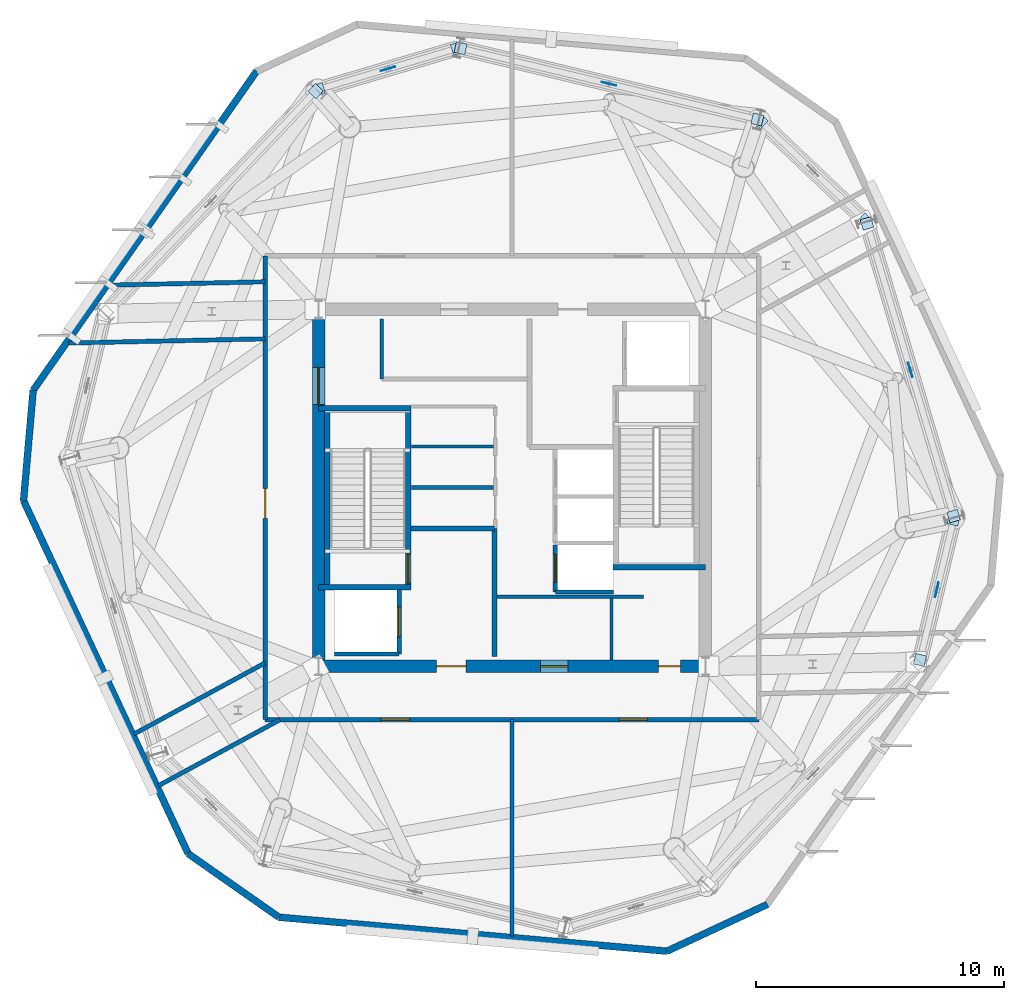
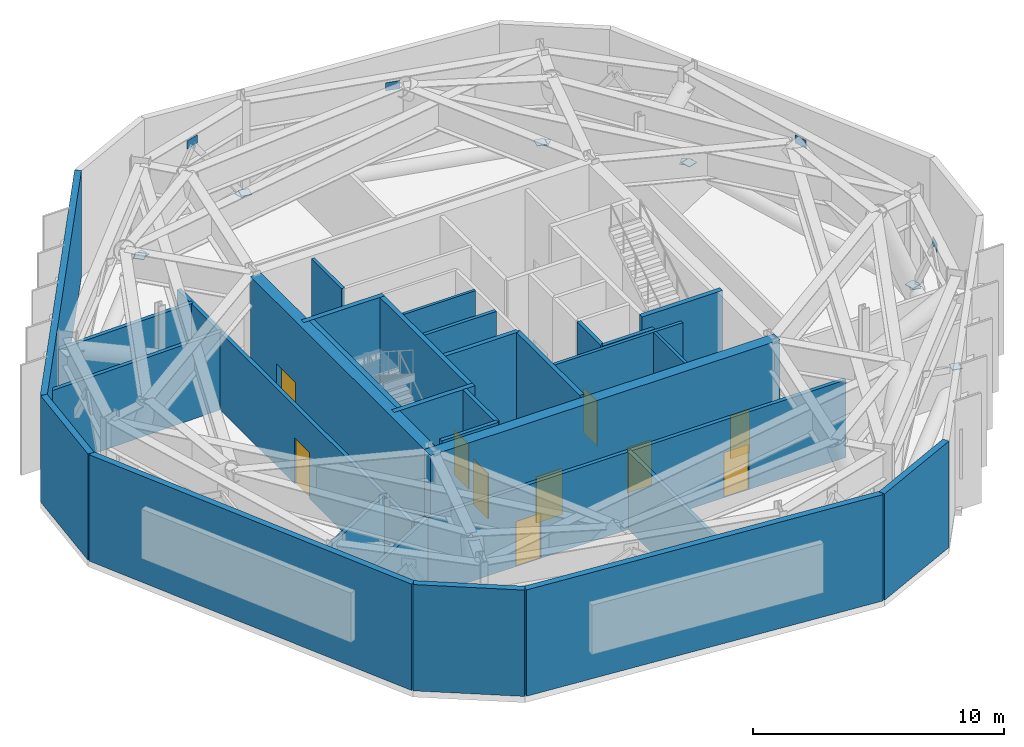
# One storey, part 5 of 10: 31 walls, 15 plates, 10 doors, 10 openings.
"""IFC4 building model written with IfcOpenShell, lengths in metres."""

from ifc_helpers import new_model, si_unit, direction, frame, frame_2d, origin, origin_2d, place, context, subcontext, project, spatial, rectangle, extrude, material, layer, layer_set, type_object, element, fill, save


model = new_model("IFC4")

# Units and contexts
model_context = context("Model", 3, precision=1e-05, world=origin(), true_north=direction((0.0, 1.0)))
body_context = subcontext(model_context, "Body", "Model", "MODEL_VIEW")
ifc_project = project(units=[si_unit("LENGTHUNIT", "METRE"), si_unit("AREAUNIT", "SQUARE_METRE"), si_unit("VOLUMEUNIT", "CUBIC_METRE"), si_unit("PLANEANGLEUNIT", "RADIAN"), si_unit("MASSUNIT", "GRAM", prefix="KILO")], contexts=[model_context])

# Site, building, storey
site_placement = place(None, origin())
site = spatial("IfcSite", under=ifc_project, at=site_placement, CompositionType="ELEMENT")
building_placement = place(site_placement, origin())
building = spatial("IfcBuilding", under=site, at=building_placement, Name="Kranzbogen Civic Tower", CompositionType="ELEMENT")
storey_placement = place(building_placement, frame((0.0, 0.0, 244.800048828125)))
storey = spatial("IfcBuildingStorey", under=building, at=storey_placement, Name="L59", CompositionType="ELEMENT", Elevation=244.800048828125)

# Plates
ifc_material_1 = material(Name="Steel S355", Category="steel")
ifc_layer_1 = layer(ifc_material_1, 0.028076171875, Name="Steel S355")
ifc_layer_set_1 = layer_set([ifc_layer_1], Name="Steel S355")
plate_type_1 = type_object("IfcPlateType", Name="Belt Truss Node Gusset Plate 600x400x28", PredefinedType="USERDEFINED", material=ifc_layer_set_1)
for number, where, z_axis, x_axis, name in (
    (1, (42.1298828125, 20.887939453125, 4.429931640625), (0.0, 0.0, 1.0), (0.233581130033, 0.972337315798, 0.0), "L59 belt truss apex gusset plate 05"),
    (2, (41.06103515625, 29.758056640625, 4.429931640625), (0.0, 0.0, 1.0), (-0.284032079222, 0.958814777719, 0.0), "L59 belt truss apex gusset plate 06"),
    (3, (28.909912109375, 41.287109375, 4.429931640625), (0.0, 0.0, 1.0), (-0.97237399464, 0.233428392764, 0.0), "L59 belt truss apex gusset plate 08"),
    (4, (19.9970703125, 41.89208984375, 4.429931640625), (0.0, 0.0, 1.0), (-0.958839560543, -0.283948405767, 0.0), "L59 belt truss apex gusset plate 09"),
):
    element("IfcPlate", number, at=place(storey_placement, frame(where, z_axis=z_axis, x_axis=x_axis)), inside=storey, type_object=plate_type_1, Name=name, ObjectType="GUSSET_PLATE", PredefinedType="USERDEFINED", context=body_context, shape_type="SweptSolid", body=[
        extrude(rectangle(XDim=0.60009765625, YDim=0.028076171875, at=origin_2d()), origin(), (0.0, 0.0, 1.0), 0.39990234375),
    ])
ifc_layer_2 = layer(ifc_material_1, 0.02490234375, Name="Steel S355")
ifc_layer_set_2 = layer_set([ifc_layer_2], Name="Steel S355")
plate_type_2 = type_object("IfcPlateType", Name="Hollow Section Sealed End Cap Plate 440x440x25", PredefinedType="SHEET", material=ifc_layer_set_2)
for number, where, z_axis, x_axis, name in (
    (5, (41.449951171875, 18.054931640625, 0.62744140625), (0.0, 0.0, 1.0), (0.233292621467, 0.972406577913, 0.0), "DG-250: L59 belt truss diagonal 05A end cap 1"),
    (6, (42.81103515625, 23.719970703125, 0.62744140625), (0.0, 0.0, 1.0), (-0.233699921703, -0.972308771222, 0.0), "DG-250: L59 belt truss diagonal 05B end cap 1"),
    (7, (42.80810546875, 23.85791015625, 0.630615234375), (0.0, 0.0, 1.0), (-0.283914935779, 0.958849471628, 0.0), "DG-250: L59 belt truss diagonal 06A end cap 1"),
    (8, (39.31298828125, 35.656982421875, 0.630615234375), (0.0, 0.0, 1.0), (0.284099016429, -0.958794946203, 0.0), "DG-250: L59 belt truss diagonal 06B end cap 1"),
    (9, (39.239990234375, 35.77392578125, 0.62744140625), (0.0, 0.0, 1.0), (-0.725446451357, 0.688278610893, 0.0), "DG-250: L59 belt truss diagonal 07A end cap 1"),
    (10, (35.013916015625, 39.784912109375, 0.62744140625), (0.0, 0.0, 1.0), (0.725278251512, -0.688455850352, 0.0), "DG-250: L59 belt truss diagonal 07B end cap 1"),
    (11, (34.89306640625, 39.85205078125, 0.630615234375), (0.0, 0.0, 1.0), (-0.972406577913, 0.233292621467, 0.0), "DG-250: L59 belt truss diagonal 08A end cap 1"),
    (12, (22.927978515625, 42.722900390625, 0.630615234375), (0.0, 0.0, 1.0), (0.972361771025, -0.233479305827, 0.0), "DG-250: L59 belt truss diagonal 08B end cap 1"),
    (13, (22.7900390625, 42.718994140625, 0.62744140625), (0.0, 0.0, 1.0), (-0.958844516232, -0.283931670816, 0.0), "DG-250: L59 belt truss diagonal 09A end cap 1"),
    (14, (17.202880859375, 41.06494140625, 0.62744140625), (0.0, 0.0, 1.0), (0.958869290293, 0.283847994766, 0.0), "DG-250: L59 belt truss diagonal 09B end cap 1"),
    (15, (17.0849609375, 40.993896484375, 0.630615234375), (0.0, 0.0, 1.0), (-0.688303933332, -0.72542242546, 0.0), "DG-250: L59 belt truss diagonal 10A end cap 1"),
):
    element("IfcPlate", number, at=place(storey_placement, frame(where, z_axis=z_axis, x_axis=x_axis)), inside=storey, type_object=plate_type_2, Name=name, PredefinedType="SHEET", context=body_context, shape_type="SweptSolid", body=[
        extrude(rectangle(XDim=0.43994140625, YDim=0.43994140625, at=origin_2d()), origin(), (0.0, 0.0, 1.0), 0.02490234375),
    ])

# Walls
ifc_material_2 = material(Name="Double-Stud Acoustic Gypsum Partition")
ifc_layer_3 = layer(ifc_material_2, 0.14990234375, Name="Double-Stud Acoustic Gypsum Partition")
ifc_layer_set_3 = layer_set([ifc_layer_3], Name="Double-Stud Acoustic Gypsum Partition")
wall_type_1 = type_object("IfcWallType", Name="Acoustic Corridor and Clinical Partition 150 mm", PredefinedType="PARTITIONING", material=ifc_layer_set_3)
wall_1_placement = place(storey_placement, frame((24.39990234375, 20.610107421875, 0.0), z_axis=(0.0, 0.0, 1.0), x_axis=(1.0, 0.0, 0.0)))
element("IfcWall", 16, at=wall_1_placement, inside=storey, type_object=wall_type_1, Name="L59 records zone North wall", PredefinedType="PARTITIONING", context=body_context, shape_type="SweptSolid", body=[
    extrude(rectangle(XDim=5.900146484375, YDim=0.14990234375, at=frame_2d((2.9501953125, 0.0))), origin(), (0.0, 0.0, 1.0), 5.179931640625),
])
wall_2_placement = place(storey_placement, frame((19.75, 29.389892578125, 0.0), z_axis=(0.0, 0.0, 1.0), x_axis=(0.0, 1.0, 0.0)))
element("IfcWall", 17, at=wall_2_placement, inside=storey, type_object=wall_type_1, Name="L59 digital comms West wall", PredefinedType="PARTITIONING", context=body_context, shape_type="SweptSolid", body=[
    extrude(rectangle(XDim=2.41015625, YDim=0.14990234375, at=frame_2d((1.205078125, 0.0))), origin(), (0.0, 0.0, 1.0), 5.179931640625),
])
ifc_material_3 = material(Name="Insulated Metal-Stud Gypsum Partition")
ifc_layer_4 = layer(ifc_material_3, 0.125, Name="Insulated Metal-Stud Gypsum Partition")
ifc_layer_set_4 = layer_set([ifc_layer_4], Name="Insulated Metal-Stud Gypsum Partition")
wall_type_2 = type_object("IfcWallType", Name="Acoustic Inter-Room Partition 125 mm", PredefinedType="PARTITIONING", material=ifc_layer_set_4)
wall_3_placement = place(storey_placement, frame((29.010009765625, 18.050048828125, 0.0), z_axis=(0.0, 0.0, 1.0), x_axis=(0.0, 1.0, 0.0)))
element("IfcWall", 18, at=wall_3_placement, inside=storey, type_object=wall_type_2, Name="L59 core auxiliary partition 1", PredefinedType="PARTITIONING", context=body_context, shape_type="SweptSolid", body=[
    extrude(rectangle(XDim=2.5, YDim=0.125, at=frame_2d((1.25, 0.0))), origin(), (0.0, 0.0, 1.0), 5.179931640625),
])
wall_4_placement = place(storey_placement, frame((20.949951171875, 26.659912109375, 0.0), z_axis=(0.0, 0.0, 1.0), x_axis=(1.0, 0.0, 0.0)))
element("IfcWall", 19, at=wall_4_placement, inside=storey, type_object=wall_type_2, Name="L59 core auxiliary partition 3", PredefinedType="PARTITIONING", context=body_context, shape_type="SweptSolid", body=[
    extrude(rectangle(XDim=3.300048828125, YDim=0.125, at=frame_2d((1.64990234375, 0.0))), origin(), (0.0, 0.0, 1.0), 5.179931640625),
])

# Wall, openings, doors
ifc_material_4 = material(Name="Concrete C45/55", Category="concrete")
ifc_layer_5 = layer(ifc_material_4, 0.5, Name="Concrete C45/55")
ifc_layer_set_5 = layer_set([ifc_layer_5], Name="Concrete C45/55")
wall_type_3 = type_object("IfcWallType", Name="Central Core Shear Wall 500 mm", PredefinedType="SHEAR", material=ifc_layer_set_5)
wall_5_placement = place(storey_placement, frame((16.949951171875, 17.800048828125, 0.0), z_axis=(0.0, 0.0, 1.0), x_axis=(1.0, 0.0, 0.0)))
wall_5 = element("IfcWall", 20, at=wall_5_placement, inside=storey, type_object=wall_type_3, Name="L59 central core South shear wall", PredefinedType="SHEAR", context=body_context, shape_type="SweptSolid", body=[
    extrude(rectangle(XDim=16.10009765625, YDim=0.5, at=frame_2d((8.050048828125, 0.0))), origin(), (0.0, 0.0, 1.0), 5.179931640625),
])
opening_1_placement = place(wall_5_placement, frame((5.0, 0.0, 0.0)))
opening_1 = element("IfcOpeningElement", 21, at=opening_1_placement, cuts=wall_5, Name="Opening D-EX120", PredefinedType="OPENING", context=body_context, shape_type="SweptSolid", body=[
    extrude(rectangle(XDim=1.199951171875, YDim=2.25, at=frame_2d((0.60009765625, 1.125))), frame((0.0, 0.260009765625, 0.0), z_axis=(0.0, -1.0, 0.0), x_axis=(1.0, 0.0, 0.0)), (0.0, 0.0, 1.0), 0.52001953125),
])
opening_2_placement = place(wall_5_placement, frame((13.949951171875, 0.0, 0.0)))
opening_2 = element("IfcOpeningElement", 22, at=opening_2_placement, cuts=wall_5, Name="Opening D-WC90", PredefinedType="OPENING", context=body_context, shape_type="SweptSolid", body=[
    extrude(rectangle(XDim=0.89990234375, YDim=2.10009765625, at=frame_2d((0.449951171875, 1.050048828125))), frame((0.0, 0.260009765625, 0.0), z_axis=(0.0, -1.0, 0.0), x_axis=(1.0, 0.0, 0.0)), (0.0, 0.0, 1.0), 0.52001953125),
])
opening_3_placement = place(wall_5_placement, frame((9.199951171875, 0.0, 0.0)))
opening_3 = element("IfcOpeningElement", 23, at=opening_3_placement, cuts=wall_5, Name="Opening D-COR60", PredefinedType="OPENING", context=body_context, shape_type="SweptSolid", body=[
    extrude(rectangle(XDim=1.10009765625, YDim=2.199951171875, at=frame_2d((0.550048828125, 1.10009765625))), frame((0.0, 0.260009765625, 0.0), z_axis=(0.0, -1.0, 0.0), x_axis=(1.0, 0.0, 0.0)), (0.0, 0.0, 1.0), 0.52001953125),
])
ifc_material_5 = material(Name="Oak Timber and Fire Core", Category="wood")
door_type_1 = type_object("IfcDoorType", Name="Corridor Acoustic Fire Door 1100x2200", OperationType="NOTDEFINED", PredefinedType="DOOR", material=ifc_material_5)
door_1_placement = place(opening_3_placement, origin())
door_1 = element("IfcDoor", 24, at=door_1_placement, inside=storey, type_object=door_type_1, Name="L59 REC1 archive room door", OperationType="SINGLE_SWING_LEFT", OverallHeight=2.199951171875, OverallWidth=1.10009765625, PredefinedType="DOOR", context=body_context, shape_type="SweptSolid", body=[
    extrude(rectangle(XDim=1.10009765625, YDim=2.199951171875, at=frame_2d((0.550048828125, 1.10009765625))), frame((0.0, 0.02490234375, 0.0), z_axis=(0.0, -1.0, 0.0), x_axis=(1.0, 0.0, 0.0)), (0.0, 0.0, 1.0), 0.050048828125),
])
fill(opening_3, door_1)
door_type_2 = type_object("IfcDoorType", Name="Exit Passageway Fire Door 1200x2250", OperationType="NOTDEFINED", PredefinedType="DOOR", material=ifc_material_1)
door_2_placement = place(opening_1_placement, origin())
door_2 = element("IfcDoor", 25, at=door_2_placement, inside=storey, type_object=door_type_2, Name="L59 West firefighting lobby corridor door", OperationType="SINGLE_SWING_LEFT", OverallHeight=2.25, OverallWidth=1.199951171875, PredefinedType="DOOR", context=body_context, shape_type="SweptSolid", body=[
    extrude(rectangle(XDim=1.199951171875, YDim=2.25, at=frame_2d((0.60009765625, 1.125))), frame((0.0, 0.02490234375, 0.0), z_axis=(0.0, -1.0, 0.0), x_axis=(1.0, 0.0, 0.0)), (0.0, 0.0, 1.0), 0.050048828125),
])
fill(opening_1, door_2)
ifc_material_6 = material(Name="Moisture-Resistant Laminate")
door_type_3 = type_object("IfcDoorType", Name="Standard Restroom and Store Door 900x2100", OperationType="NOTDEFINED", PredefinedType="DOOR", material=ifc_material_6)
door_3_placement = place(opening_2_placement, origin())
door_3 = element("IfcDoor", 26, at=door_3_placement, inside=storey, type_object=door_type_3, Name="L59 East electrical riser access door", OperationType="SINGLE_SWING_RIGHT", OverallHeight=2.10009765625, OverallWidth=0.89990234375, PredefinedType="DOOR", context=body_context, shape_type="SweptSolid", body=[
    extrude(rectangle(XDim=0.89990234375, YDim=2.10009765625, at=frame_2d((0.449951171875, 1.050048828125))), frame((0.0, 0.02490234375, 0.0), z_axis=(0.0, -1.0, 0.0), x_axis=(1.0, 0.0, 0.0)), (0.0, 0.0, 1.0), 0.050048828125),
])
fill(opening_2, door_3)

# Wall, opening, door
wall_6_placement = place(storey_placement, frame((17.199951171875, 31.949951171875, 0.0), z_axis=(0.0, 0.0, 1.0), x_axis=(0.0, -1.0, 0.0)))
wall_6 = element("IfcWall", 27, at=wall_6_placement, inside=storey, type_object=wall_type_3, Name="L59 central core West shear wall", PredefinedType="SHEAR", context=body_context, shape_type="SweptSolid", body=[
    extrude(rectangle(XDim=13.89990234375, YDim=0.5, at=frame_2d((6.949951171875, 0.0))), origin(), (0.0, 0.0, 1.0), 5.179931640625),
])
opening_4_placement = place(wall_6_placement, frame((2.10009765625, 0.0, 0.0)))
opening_4 = element("IfcOpeningElement", 28, at=opening_4_placement, cuts=wall_6, Name="Opening D-DBL15", PredefinedType="OPENING", context=body_context, shape_type="SweptSolid", body=[
    extrude(rectangle(XDim=1.5, YDim=2.199951171875, at=frame_2d((0.75, 1.10009765625))), frame((0.0, 0.260009765625, 0.0), z_axis=(0.0, -1.0, 0.0), x_axis=(1.0, 0.0, 0.0)), (0.0, 0.0, 1.0), 0.52001953125),
])
ifc_material_7 = material(Name="Anodised Bronze and Glass", Category="glass")
door_type_4 = type_object("IfcDoorType", Name="Civic Lobby Double Door 1500x2200", OperationType="DOUBLE_DOOR_SINGLE_SWING", PredefinedType="DOOR", material=ifc_material_7)
door_4_placement = place(opening_4_placement, origin())
door_4 = element("IfcDoor", 29, at=door_4_placement, inside=storey, type_object=door_type_4, Name="L59 Central Lift Lobby West concourse door", OperationType="DOUBLE_DOOR_SINGLE_SWING", OverallHeight=2.199951171875, OverallWidth=1.5, PredefinedType="DOOR", context=body_context, shape_type="SweptSolid", body=[
    extrude(rectangle(XDim=1.5, YDim=2.199951171875, at=frame_2d((0.75, 1.10009765625))), frame((0.0, 0.02490234375, 0.0), z_axis=(0.0, -1.0, 0.0), x_axis=(1.0, 0.0, 0.0)), (0.0, 0.0, 1.0), 0.050048828125),
])
fill(opening_4, door_4)

ifc_layer_6 = layer(ifc_material_4, 0.219970703125, Name="Concrete C45/55")
ifc_layer_set_6 = layer_set([ifc_layer_6], Name="Concrete C45/55")
wall_type_4 = type_object("IfcWallType", Name="Core Internal Stair Structural Wall 220 mm", PredefinedType="SOLIDWALL", material=ifc_layer_set_6)
wall_7_placement = place(storey_placement, frame((20.81005859375, 20.989990234375, 0.0), z_axis=(0.0, 0.0, 1.0), x_axis=(0.0, 1.0, 0.0)))
wall_7 = element("IfcWall", 30, at=wall_7_placement, inside=storey, type_object=wall_type_4, Name="L59 ST-T1 East structural stair wall", PredefinedType="SOLIDWALL", context=body_context, shape_type="SweptSolid", body=[
    extrude(rectangle(XDim=7.219970703125, YDim=0.219970703125, at=frame_2d((3.60986328125, 0.0))), origin(), (0.0, 0.0, 1.0), 5.179931640625),
])
opening_5_placement = place(wall_7_placement, frame((0.179931640625, 0.0, 0.0)))
opening_5 = element("IfcOpeningElement", 31, at=opening_5_placement, cuts=wall_7, Name="Opening D-ST90", PredefinedType="OPENING", context=body_context, shape_type="SweptSolid", body=[
    extrude(rectangle(XDim=1.14990234375, YDim=2.199951171875, at=frame_2d((0.574951171875, 1.10009765625))), frame((0.0, 0.1201171875, 0.0), z_axis=(0.0, -1.0, 0.0), x_axis=(1.0, 0.0, 0.0)), (0.0, 0.0, 1.0), 0.239990234375),
])
door_type_5 = type_object("IfcDoorType", Name="Pressurized Stair and Lobby Fire Door 1150x2200", OperationType="NOTDEFINED", PredefinedType="DOOR", material=ifc_material_1)
door_5_placement = place(opening_5_placement, origin())
door_5 = element("IfcDoor", 32, at=door_5_placement, inside=storey, type_object=door_type_5, Name="L59 Stair ST-T1 fire door", OperationType="SINGLE_SWING_LEFT", OverallHeight=2.199951171875, OverallWidth=1.14990234375, PredefinedType="DOOR", context=body_context, shape_type="SweptSolid", body=[
    extrude(rectangle(XDim=1.14990234375, YDim=2.199951171875, at=frame_2d((0.574951171875, 1.10009765625))), frame((0.0, 0.02490234375, 0.0), z_axis=(0.0, -1.0, 0.0), x_axis=(1.0, 0.0, 0.0)), (0.0, 0.0, 1.0), 0.050048828125),
])
fill(opening_5, door_5)

# Walls
for number, where, z_axis, x_axis, name in (
    (33, (17.199951171875, 20.989990234375, 0.0), (0.0, 0.0, 1.0), (1.0, 0.0, 0.0), "L59 ST-T1 South structural stair wall"),
    (34, (17.199951171875, 28.2099609375, 0.0), (0.0, 0.0, 1.0), (1.0, 0.0, 0.0), "L59 ST-T1 North structural stair wall"),
):
    element("IfcWall", number, at=place(storey_placement, frame(where, z_axis=z_axis, x_axis=x_axis)), inside=storey, type_object=wall_type_4, Name=name, PredefinedType="SOLIDWALL", context=body_context, shape_type="SweptSolid", body=[
        extrude(rectangle(XDim=3.719970703125, YDim=0.219970703125, at=frame_2d((1.85986328125, 0.0))), origin(), (0.0, 0.0, 1.0), 5.179931640625),
    ])
wall_8_placement = place(storey_placement, frame((17.554931640625, 28.2099609375, 0.0), z_axis=(0.0, 0.0, 1.0), x_axis=(0.0, -1.0, 0.0)))
element("IfcWall", 35, at=wall_8_placement, inside=storey, type_object=wall_type_4, Name="L59 ST-T1 West structural stair wall", PredefinedType="SOLIDWALL", context=body_context, shape_type="SweptSolid", body=[
    extrude(rectangle(XDim=7.219970703125, YDim=0.219970703125, at=frame_2d((3.60986328125, 0.0))), origin(), (0.0, 0.0, 1.0), 5.179931640625),
])
wall_9_placement = place(storey_placement, frame((29.080078125, 21.7900390625, 0.0), z_axis=(0.0, 0.0, 1.0), x_axis=(1.0, 0.0, 0.0)))
element("IfcWall", 36, at=wall_9_placement, inside=storey, type_object=wall_type_4, Name="L59 ST-T2 South structural stair wall", PredefinedType="SOLIDWALL", context=body_context, shape_type="SweptSolid", body=[
    extrude(rectangle(XDim=3.719970703125, YDim=0.219970703125, at=frame_2d((1.85986328125, 0.0))), origin(), (0.0, 0.0, 1.0), 5.179931640625),
])
ifc_material_8 = material(Name="Gypsum Fireboard and Concrete Block", Category="concrete")
ifc_layer_7 = layer(ifc_material_8, 0.199951171875, Name="Gypsum Fireboard and Concrete Block")
ifc_layer_set_7 = layer_set([ifc_layer_7], Name="Gypsum Fireboard and Concrete Block")
wall_type_5 = type_object("IfcWallType", Name="Fire-Rated Exit Passageway and Stair Wall 200 mm", PredefinedType="PARTITIONING", material=ifc_layer_set_7)
wall_10_placement = place(storey_placement, frame((24.300048828125, 18.199951171875, 0.0), z_axis=(0.0, 0.0, 1.0), x_axis=(0.0, 1.0, 0.0)))
element("IfcWall", 37, at=wall_10_placement, inside=storey, type_object=wall_type_5, Name="L59 West firefighting lobby East wall", PredefinedType="PARTITIONING", context=body_context, shape_type="SweptSolid", body=[
    extrude(rectangle(XDim=5.150146484375, YDim=0.199951171875, at=frame_2d((2.5751953125, 0.0))), origin(), (0.0, 0.0, 1.0), 5.179931640625),
])
wall_11_placement = place(storey_placement, frame((20.919921875, 23.35009765625, 0.0), z_axis=(0.0, 0.0, 1.0), x_axis=(1.0, 0.0, 0.0)))
element("IfcWall", 38, at=wall_11_placement, inside=storey, type_object=wall_type_5, Name="L59 West firefighting lobby North wall", PredefinedType="PARTITIONING", context=body_context, shape_type="SweptSolid", body=[
    extrude(rectangle(XDim=3.380126953125, YDim=0.199951171875, at=frame_2d((1.68994140625, 0.0))), origin(), (0.0, 0.0, 1.0), 5.179931640625),
])

# Wall, opening, door
ifc_material_9 = material(Name="Gypsum Fireboard Shaftliner")
ifc_layer_8 = layer(ifc_material_9, 0.175048828125, Name="Gypsum Fireboard Shaftliner")
ifc_layer_set_8 = layer_set([ifc_layer_8], Name="Gypsum Fireboard Shaftliner")
wall_type_6 = type_object("IfcWallType", Name="Fire-Rated Lift and Service Shaft Wall 175 mm", PredefinedType="PARTITIONING", material=ifc_layer_set_8)
wall_12_placement = place(storey_placement, frame((26.75, 20.800048828125, 0.0), z_axis=(0.0, 0.0, 1.0), x_axis=(0.0, 1.0, 0.0)))
wall_12 = element("IfcWall", 39, at=wall_12_placement, inside=storey, type_object=wall_type_6, Name="L59 lift HP-01 landing wall", PredefinedType="PARTITIONING", context=body_context, shape_type="SweptSolid", body=[
    extrude(rectangle(XDim=1.89990234375, YDim=0.175048828125, at=frame_2d((0.949951171875, 0.0))), origin(), (0.0, 0.0, 1.0), 5.179931640625),
])
opening_6_placement = place(wall_12_placement, frame((0.39990234375, 0.0, 0.0)))
opening_6 = element("IfcOpeningElement", 40, at=opening_6_placement, cuts=wall_12, Name="Opening LD-HP-01", PredefinedType="OPENING", context=body_context, shape_type="SweptSolid", body=[
    extrude(rectangle(XDim=1.10009765625, YDim=2.199951171875, at=frame_2d((0.550048828125, 1.10009765625))), frame((0.0, 0.09765625, 0.0), z_axis=(0.0, -1.0, 0.0), x_axis=(1.0, 0.0, 0.0)), (0.0, 0.0, 1.0), 0.195068359375),
])
ifc_material_10 = material(Name="Pale Anodised Aluminium", Category="aluminium")
door_type_6 = type_object("IfcDoorType", Name="Passenger Lift Sliding Landing Door 1100x2200", OperationType="DOUBLE_DOOR_SLIDING", PredefinedType="DOOR", material=ifc_material_10)
door_6_placement = place(opening_6_placement, origin())
door_6 = element("IfcDoor", 41, at=door_6_placement, inside=storey, type_object=door_type_6, Name="L59 lift HP-01 sliding landing door", OperationType="DOUBLE_DOOR_SLIDING", OverallHeight=2.199951171875, OverallWidth=1.10009765625, PredefinedType="DOOR", context=body_context, shape_type="SweptSolid", body=[
    extrude(rectangle(XDim=1.10009765625, YDim=2.199951171875, at=frame_2d((0.550048828125, 1.10009765625))), frame((0.0, 0.02490234375, 0.0), z_axis=(0.0, -1.0, 0.0), x_axis=(1.0, 0.0, 0.0)), (0.0, 0.0, 1.0), 0.050048828125),
])
fill(opening_6, door_6)

# Wall
wall_13_placement = place(storey_placement, frame((26.75, 20.800048828125, 0.0), z_axis=(0.0, 0.0, 1.0), x_axis=(1.0, 0.0, 0.0)))
element("IfcWall", 42, at=wall_13_placement, inside=storey, type_object=wall_type_6, Name="L59 lift HP-01 side wall", PredefinedType="PARTITIONING", context=body_context, shape_type="SweptSolid", body=[
    extrude(rectangle(XDim=2.35009765625, YDim=0.175048828125, at=frame_2d((1.175048828125, 0.0))), origin(), (0.0, 0.0, 1.0), 5.179931640625),
])

# Wall, opening, door
wall_14_placement = place(storey_placement, frame((20.449951171875, 18.300048828125, 0.0), z_axis=(0.0, 0.0, 1.0), x_axis=(0.0, 1.0, 0.0)))
wall_14 = element("IfcWall", 43, at=wall_14_placement, inside=storey, type_object=wall_type_6, Name="L59 lift FF-01 landing wall", PredefinedType="PARTITIONING", context=body_context, shape_type="SweptSolid", body=[
    extrude(rectangle(XDim=2.599853515625, YDim=0.175048828125, at=frame_2d((1.2998046875, 0.0))), origin(), (0.0, 0.0, 1.0), 5.179931640625),
])
opening_7_placement = place(wall_14_placement, frame((0.699951171875, 0.0, 0.0)))
opening_7 = element("IfcOpeningElement", 44, at=opening_7_placement, cuts=wall_14, Name="Opening LD-FF-01", PredefinedType="OPENING", context=body_context, shape_type="SweptSolid", body=[
    extrude(rectangle(XDim=1.199951171875, YDim=2.199951171875, at=frame_2d((0.60009765625, 1.10009765625))), frame((0.0, 0.09765625, 0.0), z_axis=(0.0, -1.0, 0.0), x_axis=(1.0, 0.0, 0.0)), (0.0, 0.0, 1.0), 0.195068359375),
])
door_type_7 = type_object("IfcDoorType", Name="Firefighting and Stretcher Lift Sliding Landing Door 1200x2200", OperationType="DOUBLE_DOOR_SLIDING", PredefinedType="DOOR", material=ifc_material_10)
door_7_placement = place(opening_7_placement, origin())
door_7 = element("IfcDoor", 45, at=door_7_placement, inside=storey, type_object=door_type_7, Name="L59 lift FF-01 sliding landing door", OperationType="DOUBLE_DOOR_SLIDING", OverallHeight=2.199951171875, OverallWidth=1.199951171875, PredefinedType="DOOR", context=body_context, shape_type="SweptSolid", body=[
    extrude(rectangle(XDim=1.199951171875, YDim=2.199951171875, at=frame_2d((0.60009765625, 1.10009765625))), frame((0.0, 0.02490234375, 0.0), z_axis=(0.0, -1.0, 0.0), x_axis=(1.0, 0.0, 0.0)), (0.0, 0.0, 1.0), 0.050048828125),
])
fill(opening_7, door_7)

# Wall
wall_15_placement = place(storey_placement, frame((17.85009765625, 18.300048828125, 0.0), z_axis=(0.0, 0.0, 1.0), x_axis=(1.0, 0.0, 0.0)))
element("IfcWall", 46, at=wall_15_placement, inside=storey, type_object=wall_type_6, Name="L59 lift FF-01 side wall", PredefinedType="PARTITIONING", context=body_context, shape_type="SweptSolid", body=[
    extrude(rectangle(XDim=2.599853515625, YDim=0.175048828125, at=frame_2d((1.2998046875, 0.0))), origin(), (0.0, 0.0, 1.0), 5.179931640625),
])

# Wall, openings, doors
wall_16_placement = place(storey_placement, frame((34.949951171875, 15.64990234375, 0.0), z_axis=(0.0, 0.0, 1.0), x_axis=(-1.0, 0.0, 0.0)))
wall_16 = element("IfcWall", 47, at=wall_16_placement, inside=storey, type_object=wall_type_6, Name="L59 corridor partition 03", PredefinedType="PARTITIONING", context=body_context, shape_type="SweptSolid", body=[
    extrude(rectangle(XDim=19.89990234375, YDim=0.175048828125, at=frame_2d((9.949951171875, 0.0))), origin(), (0.0, 0.0, 1.0), 3.780029296875),
])
opening_8_placement = place(wall_16_placement, frame((14.072998046875, 0.0, 0.0)))
opening_8 = element("IfcOpeningElement", 48, at=opening_8_placement, cuts=wall_16, Name="Opening D-ST90", PredefinedType="OPENING", context=body_context, shape_type="SweptSolid", body=[
    extrude(rectangle(XDim=1.14990234375, YDim=2.199951171875, at=frame_2d((0.574951171875, 1.10009765625))), frame((0.0, 0.09765625, 0.0), z_axis=(0.0, -1.0, 0.0), x_axis=(1.0, 0.0, 0.0)), (0.0, 0.0, 1.0), 0.195068359375),
])
opening_9_placement = place(wall_16_placement, frame((4.47705078125, 0.0, 0.0)))
opening_9 = element("IfcOpeningElement", 49, at=opening_9_placement, cuts=wall_16, Name="Opening D-ST90", PredefinedType="OPENING", context=body_context, shape_type="SweptSolid", body=[
    extrude(rectangle(XDim=1.14990234375, YDim=2.199951171875, at=frame_2d((0.574951171875, 1.10009765625))), frame((0.0, 0.09765625, 0.0), z_axis=(0.0, -1.0, 0.0), x_axis=(1.0, 0.0, 0.0)), (0.0, 0.0, 1.0), 0.195068359375),
])
door_8_placement = place(opening_8_placement, origin())
door_8 = element("IfcDoor", 50, at=door_8_placement, inside=storey, type_object=door_type_5, Name="L59 Primary Air Handling Plant Room door", OperationType="SINGLE_SWING_RIGHT", OverallHeight=2.199951171875, OverallWidth=1.14990234375, PredefinedType="DOOR", context=body_context, shape_type="SweptSolid", body=[
    extrude(rectangle(XDim=1.14990234375, YDim=2.199951171875, at=frame_2d((0.574951171875, 1.10009765625))), frame((0.0, 0.02490234375, 0.0), z_axis=(0.0, -1.0, 0.0), x_axis=(1.0, 0.0, 0.0)), (0.0, 0.0, 1.0), 0.050048828125),
])
fill(opening_8, door_8)
door_9_placement = place(opening_9_placement, origin())
door_9 = element("IfcDoor", 51, at=door_9_placement, inside=storey, type_object=door_type_5, Name="L59 Chilled Water Heat Exchanger Plant door", OperationType="SINGLE_SWING_LEFT", OverallHeight=2.199951171875, OverallWidth=1.14990234375, PredefinedType="DOOR", context=body_context, shape_type="SweptSolid", body=[
    extrude(rectangle(XDim=1.14990234375, YDim=2.199951171875, at=frame_2d((0.574951171875, 1.10009765625))), frame((0.0, 0.02490234375, 0.0), z_axis=(0.0, -1.0, 0.0), x_axis=(1.0, 0.0, 0.0)), (0.0, 0.0, 1.0), 0.050048828125),
])
fill(opening_9, door_9)

# Wall, opening, door
wall_17_placement = place(storey_placement, frame((15.050048828125, 15.64990234375, 0.0), z_axis=(0.0, 0.0, 1.0), x_axis=(0.0, 1.0, 0.0)))
wall_17 = element("IfcWall", 52, at=wall_17_placement, inside=storey, type_object=wall_type_6, Name="L59 corridor partition 04", PredefinedType="PARTITIONING", context=body_context, shape_type="SweptSolid", body=[
    extrude(rectangle(XDim=18.7001953125, YDim=0.175048828125, at=frame_2d((9.35009765625, 0.0))), origin(), (0.0, 0.0, 1.0), 3.780029296875),
])
opening_10_placement = place(wall_17_placement, frame((8.113037109375, 0.0, 0.0)))
opening_10 = element("IfcOpeningElement", 53, at=opening_10_placement, cuts=wall_17, Name="Opening D-EX120", PredefinedType="OPENING", context=body_context, shape_type="SweptSolid", body=[
    extrude(rectangle(XDim=1.199951171875, YDim=2.25, at=frame_2d((0.60009765625, 1.125))), frame((0.0, 0.09765625, 0.0), z_axis=(0.0, -1.0, 0.0), x_axis=(1.0, 0.0, 0.0)), (0.0, 0.0, 1.0), 0.195068359375),
])
door_10_placement = place(opening_10_placement, origin())
door_10 = element("IfcDoor", 54, at=door_10_placement, inside=storey, type_object=door_type_2, Name="L59 Designated Fire Refuge Area door", OperationType="SINGLE_SWING_LEFT", OverallHeight=2.25, OverallWidth=1.199951171875, PredefinedType="DOOR", context=body_context, shape_type="SweptSolid", body=[
    extrude(rectangle(XDim=1.199951171875, YDim=2.25, at=frame_2d((0.60009765625, 1.125))), frame((0.0, 0.02490234375, 0.0), z_axis=(0.0, -1.0, 0.0), x_axis=(1.0, 0.0, 0.0)), (0.0, 0.0, 1.0), 0.050048828125),
])
fill(opening_10, door_10)

# Walls
wall_18_placement = place(storey_placement, frame((15.050048828125, 17.94189453125, 0.0), z_axis=(0.0, 0.0, 1.0), x_axis=(-0.878919599329, -0.476969954939, 0.0)))
element("IfcWall", 55, at=wall_18_placement, inside=storey, type_object=wall_type_6, Name="L59 radial room partition 01", PredefinedType="PARTITIONING", context=body_context, shape_type="SweptSolid", body=[
    extrude(rectangle(XDim=6.0107421875, YDim=0.175048828125, at=frame_2d((3.00537109375, 0.0))), origin(), (0.0, 0.0, 1.0), 3.780029296875),
])
wall_19_placement = place(storey_placement, frame((15.64892578125, 15.64990234375, 0.0), z_axis=(0.0, 0.0, 1.0), x_axis=(-0.878891138972, -0.477022395529, 0.0)))
element("IfcWall", 56, at=wall_19_placement, inside=storey, type_object=wall_type_6, Name="L59 radial room partition 02", PredefinedType="PARTITIONING", context=body_context, shape_type="SweptSolid", body=[
    extrude(rectangle(XDim=5.584228515625, YDim=0.175048828125, at=frame_2d((2.7919921875, 0.0))), origin(), (0.0, 0.0, 1.0), 3.780029296875),
])
wall_20_placement = place(storey_placement, frame((15.050048828125, 33.303955078125, 0.0), z_axis=(0.0, 0.0, 1.0), x_axis=(-0.99977397531, -0.021260251479, 0.0)))
element("IfcWall", 57, at=wall_20_placement, inside=storey, type_object=wall_type_6, Name="L59 radial room partition 07", PredefinedType="PARTITIONING", context=body_context, shape_type="SweptSolid", body=[
    extrude(rectangle(XDim=6.304443359375, YDim=0.175048828125, at=frame_2d((3.15234375, 0.0))), origin(), (0.0, 0.0, 1.0), 3.780029296875),
])
wall_21_placement = place(storey_placement, frame((15.050048828125, 31.00390625, 0.0), z_axis=(0.0, 0.0, 1.0), x_axis=(-0.9997735909, -0.021278320874, 0.0)))
element("IfcWall", 58, at=wall_21_placement, inside=storey, type_object=wall_type_6, Name="L59 radial room partition 08", PredefinedType="PARTITIONING", context=body_context, shape_type="SweptSolid", body=[
    extrude(rectangle(XDim=7.939697265625, YDim=0.175048828125, at=frame_2d((3.9697265625, 0.0))), origin(), (0.0, 0.0, 1.0), 3.780029296875),
])
wall_22_placement = place(storey_placement, frame((25.0, 15.64990234375, 0.0), z_axis=(0.0, 0.0, 1.0), x_axis=(0.0, -1.0, 0.0)))
element("IfcWall", 59, at=wall_22_placement, inside=storey, type_object=wall_type_6, Name="L59 radial room partition 10", PredefinedType="PARTITIONING", context=body_context, shape_type="SweptSolid", body=[
    extrude(rectangle(XDim=8.718994140625, YDim=0.175048828125, at=frame_2d((4.359375, 0.0))), origin(), (0.0, 0.0, 1.0), 3.780029296875),
])
ifc_layer_9 = layer(ifc_material_10, 0.280029296875, Name="Pale Anodised Aluminium")
ifc_layer_set_9 = layer_set([ifc_layer_9], Name="Pale Anodised Aluminium")
wall_type_7 = type_object("IfcWallType", Name="Plant Acoustic Insulated Spandrel Wall 280 mm", PredefinedType="STANDARD", material=ifc_layer_set_9)
wall_23_placement = place(storey_placement, frame((14.700927734375, 41.799072265625, 0.0), z_axis=(0.0, 0.0, 1.0), x_axis=(-0.573547879244, -0.819172039449, 0.0)))
element("IfcWall", 60, at=wall_23_placement, inside=storey, type_object=wall_type_7, Name="L59 mechanical plant spandrel wall M2", PredefinedType="STANDARD", context=body_context, shape_type="SweptSolid", body=[
    extrude(rectangle(XDim=15.70751953125, YDim=0.280029296875, at=frame_2d((7.853759765625, 0.0))), origin(), (0.0, 0.0, 1.0), 5.179931640625),
])
wall_24_placement = place(storey_placement, frame((5.69189453125, 28.931884765625, 0.0), z_axis=(0.0, 0.0, 1.0), x_axis=(-0.087263880994, -0.996185231307, 0.0)))
element("IfcWall", 61, at=wall_24_placement, inside=storey, type_object=wall_type_7, Name="L59 mechanical plant spandrel wall C2", PredefinedType="STANDARD", context=body_context, shape_type="SweptSolid", body=[
    extrude(rectangle(XDim=4.468017578125, YDim=0.280029296875, at=frame_2d((2.23388671875, 0.0))), origin(), (0.0, 0.0, 1.0), 5.179931640625),
])
wall_25_placement = place(storey_placement, frame((5.302001953125, 24.48095703125, 0.0), z_axis=(0.0, 0.0, 1.0), x_axis=(0.422651460509, -0.906292305456, 0.0)))
element("IfcWall", 62, at=wall_25_placement, inside=storey, type_object=wall_type_7, Name="L59 mechanical plant spandrel wall M3", PredefinedType="STANDARD", context=body_context, shape_type="SweptSolid", body=[
    extrude(rectangle(XDim=15.707763671875, YDim=0.280029296875, at=frame_2d((7.85400390625, 0.0))), origin(), (0.0, 0.0, 1.0), 5.179931640625),
])
wall_26_placement = place(storey_placement, frame((11.94091796875, 10.2451171875, 0.0), z_axis=(0.0, 0.0, 1.0), x_axis=(0.819113829151, -0.573631009355, 0.0)))
element("IfcWall", 63, at=wall_26_placement, inside=storey, type_object=wall_type_7, Name="L59 mechanical plant spandrel wall C3", PredefinedType="STANDARD", context=body_context, shape_type="SweptSolid", body=[
    extrude(rectangle(XDim=4.468505859375, YDim=0.280029296875, at=frame_2d((2.234375, 0.0))), origin(), (0.0, 0.0, 1.0), 5.179931640625),
])
wall_27_placement = place(storey_placement, frame((15.60107421875, 7.681884765625, 0.0), z_axis=(0.0, 0.0, 1.0), x_axis=(0.996195370644, -0.087148055094, 0.0)))
element("IfcWall", 64, at=wall_27_placement, inside=storey, type_object=wall_type_7, Name="L59 mechanical plant spandrel wall M4", PredefinedType="STANDARD", context=body_context, shape_type="SweptSolid", body=[
    extrude(rectangle(XDim=15.707763671875, YDim=0.280029296875, at=frame_2d((7.85400390625, 0.0))), origin(), (0.0, 0.0, 1.0), 5.179931640625),
])
wall_28_placement = place(storey_placement, frame((31.2490234375, 6.31298828125, 0.0), z_axis=(0.0, 0.0, 1.0), x_axis=(0.906361723837, 0.422502574624, 0.0)))
element("IfcWall", 65, at=wall_28_placement, inside=storey, type_object=wall_type_7, Name="L59 mechanical plant spandrel wall C4", PredefinedType="STANDARD", context=body_context, shape_type="SweptSolid", body=[
    extrude(rectangle(XDim=4.468505859375, YDim=0.280029296875, at=frame_2d((2.234375, 0.0))), origin(), (0.0, 0.0, 1.0), 5.179931640625),
])
ifc_material_11 = material(Name="Moisture-Resistant Gypsum Assembly")
ifc_layer_10 = layer(ifc_material_11, 0.159912109375, Name="Moisture-Resistant Gypsum Assembly")
ifc_layer_set_10 = layer_set([ifc_layer_10], Name="Moisture-Resistant Gypsum Assembly")
wall_type_8 = type_object("IfcWallType", Name="Sanitary and Plumbing Wet Wall 160 mm", PredefinedType="PLUMBINGWALL", material=ifc_layer_set_10)
wall_29_placement = place(storey_placement, frame((20.949951171875, 25.010009765625, 0.0), z_axis=(0.0, 0.0, 1.0), x_axis=(1.0, 0.0, 0.0)))
element("IfcWall", 66, at=wall_29_placement, inside=storey, type_object=wall_type_8, Name="L59 core auxiliary partition 2", PredefinedType="PLUMBINGWALL", context=body_context, shape_type="SweptSolid", body=[
    extrude(rectangle(XDim=3.300048828125, YDim=0.159912109375, at=frame_2d((1.64990234375, 0.0))), origin(), (0.0, 0.0, 1.0), 5.179931640625),
])

save(model, "model.ifc")
